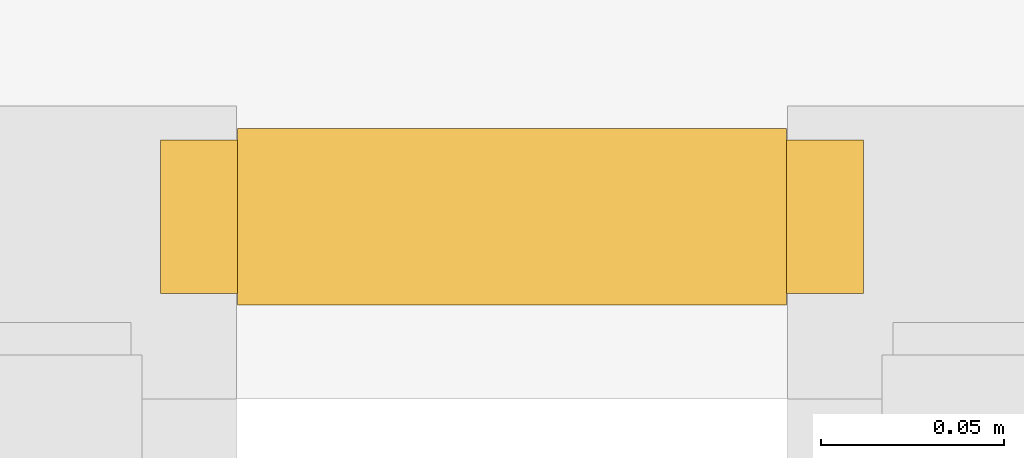
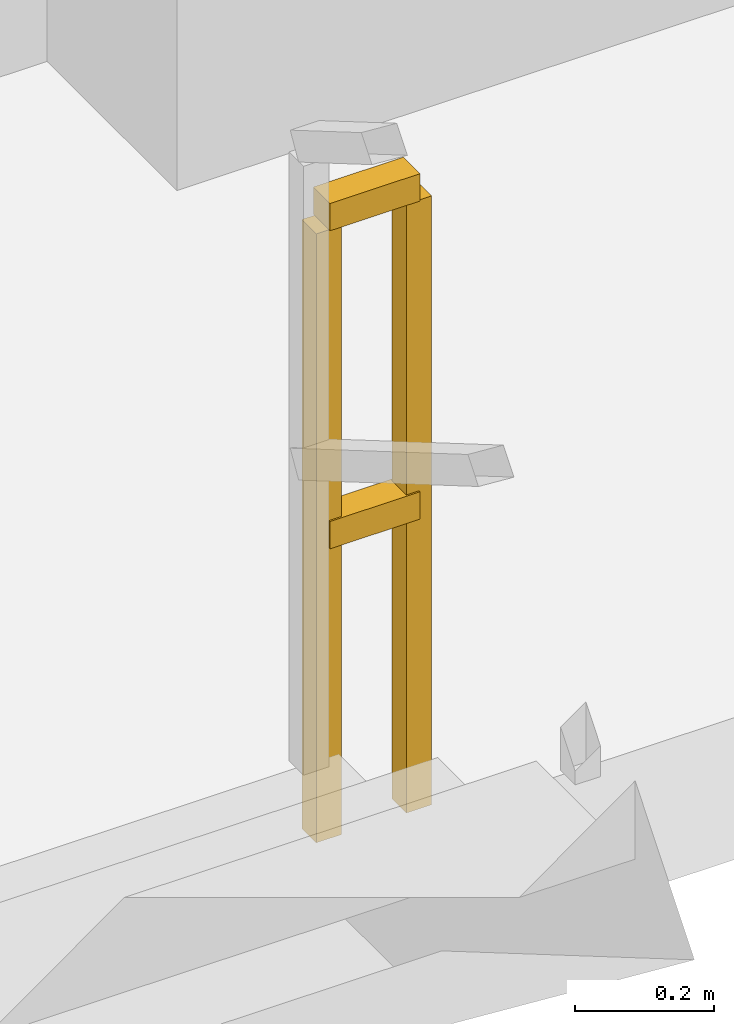
# One storey, part 10 of 11: 1 railing.
"""IFC4 building model written with IfcOpenShell, lengths in metres."""

from ifc_helpers import new_model, si_unit, direction, frame, origin, origin_2d, place, context, subcontext, project, spatial, rectangle, extrude, material, type_object, element, save


model = new_model("IFC4")

# Units and contexts
model_context = context("Model", 3, precision=1e-05, world=origin(), true_north=direction((0.0, 1.0)))
body_context = subcontext(model_context, "Body", "Model", "MODEL_VIEW")
ifc_project = project(units=[si_unit("LENGTHUNIT", "METRE"), si_unit("AREAUNIT", "SQUARE_METRE"), si_unit("VOLUMEUNIT", "CUBIC_METRE"), si_unit("PLANEANGLEUNIT", "RADIAN"), si_unit("MASSUNIT", "GRAM", prefix="KILO")], contexts=[model_context])

# Site, building, storey
site_placement = place(None, origin())
site = spatial("IfcSite", under=ifc_project, at=site_placement, CompositionType="ELEMENT")
building_placement = place(site_placement, origin())
building = spatial("IfcBuilding", under=site, at=building_placement, Name="Apsidion Concourse Tower", CompositionType="ELEMENT")
storey_placement = place(building_placement, frame((0.0, 0.0, 54.39990234375)))
storey = spatial("IfcBuildingStorey", under=building, at=storey_placement, Name="L11", CompositionType="ELEMENT", Elevation=54.39990234375)

# Railing
ifc_material = material(Name="Brushed stainless steel 316", Category="steel")
railing_type = type_object("IfcRailingType", Name="RL-GUARD-1100", PredefinedType="GUARDRAIL", material=ifc_material)
railing_placement = place(storey_placement, frame((-0.074951171875, 7.64990234375, 0.0)))
element("IfcRailing", 1, at=railing_placement, inside=storey, type_object=railing_type, Name="L11 ST3 stair guard 4", PredefinedType="GUARDRAIL", context=body_context, shape_type="SweptSolid", body=[
    extrude(rectangle(XDim=0.048095703125, YDim=0.048095703125, at=origin_2d()), frame((0.0, 0.0, 1.09619140625), z_axis=(1.0, 0.0, 0.0), x_axis=(0.0, 1.0, 0.0)), (0.0, 0.0, 1.0), 0.14990234375),
    extrude(rectangle(XDim=0.048095703125, YDim=0.048095703125, at=origin_2d()), frame((0.0, 0.0, 0.5361328125), z_axis=(1.0, 0.0, 0.0), x_axis=(0.0, 1.0, 0.0)), (0.0, 0.0, 1.0), 0.14990234375),
    extrude(rectangle(XDim=0.0419921875, YDim=0.0419921875, at=origin_2d()), origin(), (0.0, 0.0, 1.0), 1.072021484375),
    extrude(rectangle(XDim=0.0419921875, YDim=0.0419921875, at=origin_2d()), frame((0.14990234375, 0.0, 0.0)), (0.0, 0.0, 1.0), 1.072021484375),
])

save(model, "model.ifc")
